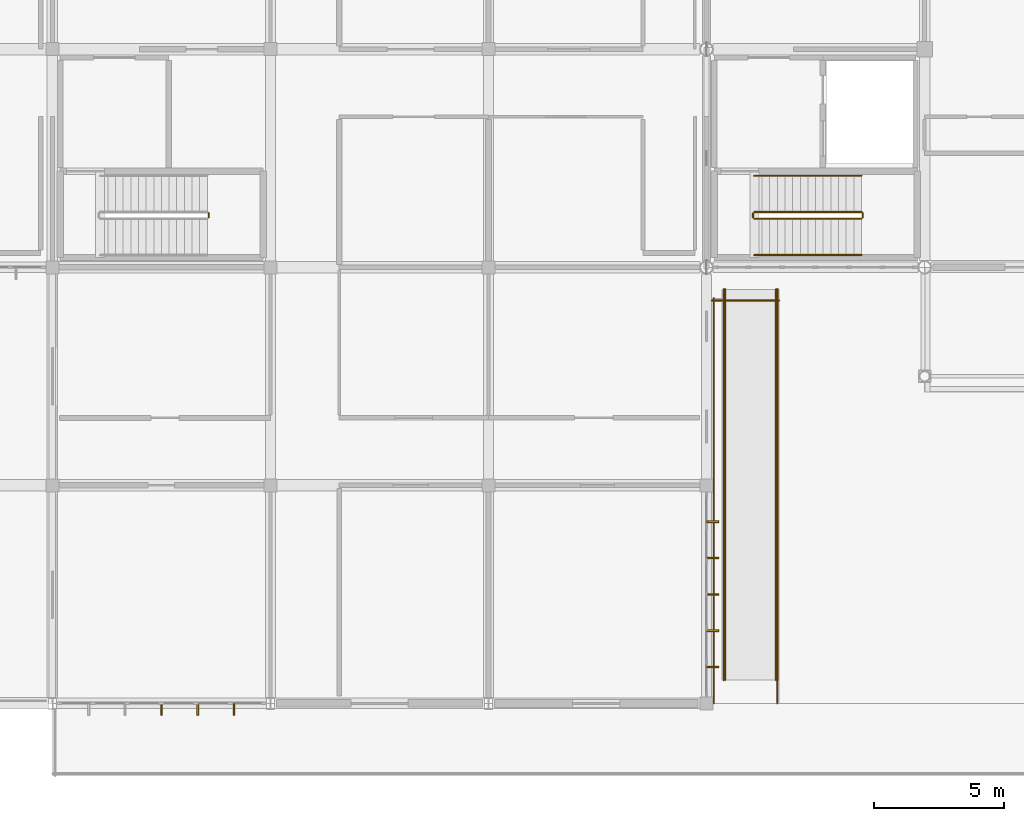
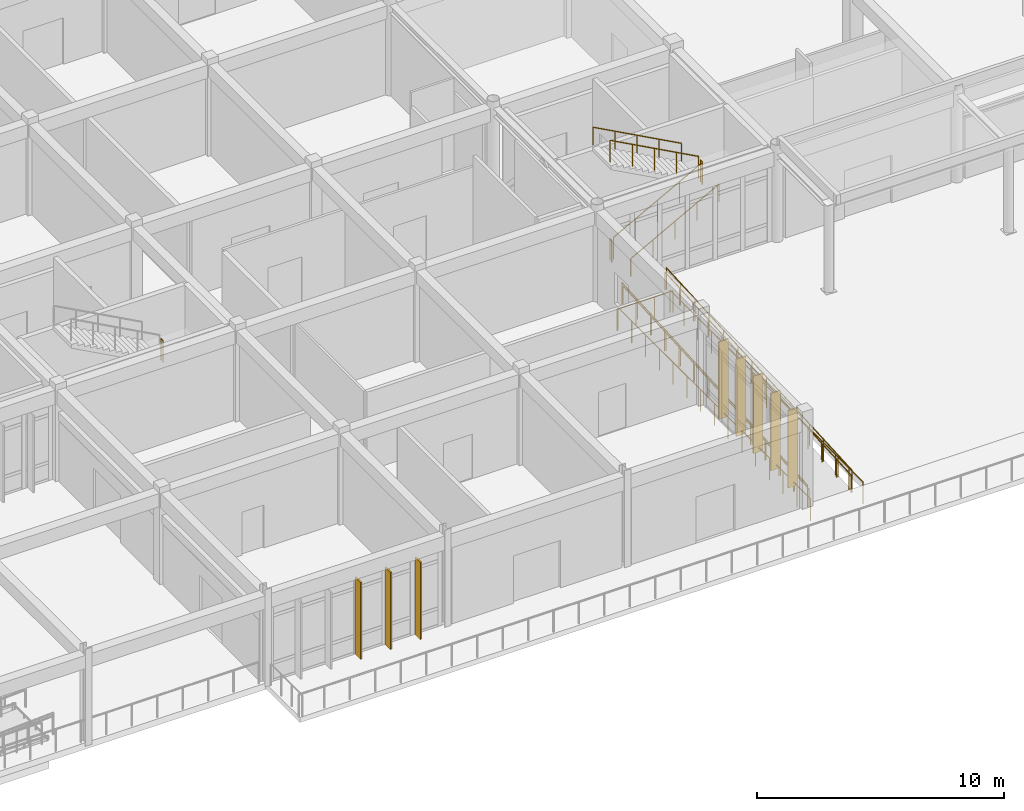
# One storey, part 117 of 138: 14 railings, 8 shading devices.
"""IFC4 building model written with IfcOpenShell, lengths in metres."""

from ifc_helpers import new_model, si_unit, direction, frame, origin, origin_2d, place, context, subcontext, project, spatial, rectangle, circle, extrude, material, material_profile, profile_set, type_object, element, save


model = new_model("IFC4")

# Units and contexts
model_context = context("Model", 3, precision=1e-05, world=origin(), true_north=direction((0.0, 1.0)))
body_context = subcontext(model_context, "Body", "Model", "MODEL_VIEW")
ifc_project = project(units=[si_unit("LENGTHUNIT", "METRE"), si_unit("AREAUNIT", "SQUARE_METRE"), si_unit("VOLUMEUNIT", "CUBIC_METRE"), si_unit("PLANEANGLEUNIT", "RADIAN"), si_unit("MASSUNIT", "GRAM", prefix="KILO")], contexts=[model_context])

# Site, building, storey
site_placement = place(None, origin())
site = spatial("IfcSite", under=ifc_project, at=site_placement, CompositionType="ELEMENT")
building_placement = place(site_placement, origin())
building = spatial("IfcBuilding", under=site, at=building_placement, Name="Bramfleet General Hospital", CompositionType="ELEMENT")
storey_placement = place(building_placement, origin())
storey = spatial("IfcBuildingStorey", under=building, at=storey_placement, Name="L00", CompositionType="ELEMENT", Elevation=0.0)

# Railings
ifc_material_1 = material(Name="Stainless steel 1.4401 safety balustrade", Category="steel")
railing_type_1 = type_object("IfcRailingType", Name="RAIL-EXT-GUARD", PredefinedType="GUARDRAIL", material=ifc_material_1)
railing_1_placement = place(storey_placement, frame((53.1201171875, 0.0, -0.89990234375)))
element("IfcRailing", 1, at=railing_1_placement, inside=storey, type_object=railing_type_1, Name="Ramp Pocket Guard 1.244", PredefinedType="GUARDRAIL", context=body_context, shape_type="SweptSolid", body=[
    extrude(circle(Radius=0.02392578125, at=origin_2d()), frame((0.0, 0.0, 1.076171875), z_axis=(0.0, 1.0, 0.0), x_axis=(-1.0, 0.0, 0.0)), (0.0, 0.0, 1.0), 15.60009765625),
    extrude(circle(Radius=0.02099609375, at=origin_2d()), origin(), (0.0, 0.0, 1.0), 1.052001953125),
    extrude(circle(Radius=0.02099609375, at=origin_2d()), frame((0.0, 1.1142578125, 0.0)), (0.0, 0.0, 1.0), 1.052001953125),
    extrude(circle(Radius=0.02099609375, at=origin_2d()), frame((0.0, 2.228515625, 0.0)), (0.0, 0.0, 1.0), 1.052001953125),
    extrude(circle(Radius=0.02099609375, at=origin_2d()), frame((0.0, 3.3427734375, 0.0)), (0.0, 0.0, 1.0), 1.052001953125),
    extrude(circle(Radius=0.02099609375, at=origin_2d()), frame((0.0, 4.457275390625, 0.0)), (0.0, 0.0, 1.0), 1.052001953125),
    extrude(circle(Radius=0.02099609375, at=origin_2d()), frame((0.0, 5.571533203125, 0.0)), (0.0, 0.0, 1.0), 1.052001953125),
    extrude(circle(Radius=0.02099609375, at=origin_2d()), frame((0.0, 6.685791015625, 0.0)), (0.0, 0.0, 1.0), 1.052001953125),
    extrude(circle(Radius=0.02099609375, at=origin_2d()), frame((0.0, 7.800048828125, 0.0)), (0.0, 0.0, 1.0), 1.052001953125),
    extrude(circle(Radius=0.02099609375, at=origin_2d()), frame((0.0, 8.914306640625, 0.0)), (0.0, 0.0, 1.0), 1.052001953125),
    extrude(circle(Radius=0.02099609375, at=origin_2d()), frame((0.0, 10.028564453125, 0.0)), (0.0, 0.0, 1.0), 1.052001953125),
    extrude(circle(Radius=0.02099609375, at=origin_2d()), frame((0.0, 11.142822265625, 0.0)), (0.0, 0.0, 1.0), 1.052001953125),
    extrude(circle(Radius=0.02099609375, at=origin_2d()), frame((0.0, 12.25732421875, 0.0)), (0.0, 0.0, 1.0), 1.052001953125),
    extrude(circle(Radius=0.02099609375, at=origin_2d()), frame((0.0, 13.37158203125, 0.0)), (0.0, 0.0, 1.0), 1.052001953125),
    extrude(circle(Radius=0.02099609375, at=origin_2d()), frame((0.0, 14.48583984375, 0.0)), (0.0, 0.0, 1.0), 1.052001953125),
    extrude(circle(Radius=0.02099609375, at=origin_2d()), frame((0.0, 15.60009765625, 0.0)), (0.0, 0.0, 1.0), 1.052001953125),
])
railing_2_placement = place(storey_placement, frame((53.199951171875, 15.52001953125, -0.89990234375)))
element("IfcRailing", 2, at=railing_2_placement, inside=storey, type_object=railing_type_1, Name="Ramp Pocket Guard 1.245", PredefinedType="GUARDRAIL", context=body_context, shape_type="SweptSolid", body=[
    extrude(circle(Radius=0.02392578125, at=origin_2d()), frame((0.0, 0.0, 1.076171875), z_axis=(-1.0, 0.0, 0.0), x_axis=(0.0, -1.0, 0.0)), (0.0, 0.0, 1.0), 2.599853515625),
    extrude(circle(Radius=0.02099609375, at=origin_2d()), origin(), (0.0, 0.0, 1.0), 1.052001953125),
    extrude(circle(Radius=0.02099609375, at=origin_2d()), frame((-0.86669921875, 0.0, 0.0)), (0.0, 0.0, 1.0), 1.052001953125),
    extrude(circle(Radius=0.02099609375, at=origin_2d()), frame((-1.733154296875, 0.0, 0.0)), (0.0, 0.0, 1.0), 1.052001953125),
    extrude(circle(Radius=0.02099609375, at=origin_2d()), frame((-2.599853515625, 0.0, 0.0)), (0.0, 0.0, 1.0), 1.052001953125),
])
railing_3_placement = place(storey_placement, frame((50.679931640625, 15.60009765625, -0.89990234375)))
element("IfcRailing", 3, at=railing_3_placement, inside=storey, type_object=railing_type_1, Name="Ramp Pocket Guard 1.246", PredefinedType="GUARDRAIL", context=body_context, shape_type="SweptSolid", body=[
    extrude(circle(Radius=0.02392578125, at=origin_2d()), frame((0.0, 0.0, 1.076171875), z_axis=(0.0, -1.0, 0.0), x_axis=(1.0, 0.0, 0.0)), (0.0, 0.0, 1.0), 15.60009765625),
    extrude(circle(Radius=0.02099609375, at=origin_2d()), origin(), (0.0, 0.0, 1.0), 1.052001953125),
    extrude(circle(Radius=0.02099609375, at=origin_2d()), frame((0.0, -1.1142578125, 0.0)), (0.0, 0.0, 1.0), 1.052001953125),
    extrude(circle(Radius=0.02099609375, at=origin_2d()), frame((0.0, -2.228515625, 0.0)), (0.0, 0.0, 1.0), 1.052001953125),
    extrude(circle(Radius=0.02099609375, at=origin_2d()), frame((0.0, -3.3427734375, 0.0)), (0.0, 0.0, 1.0), 1.052001953125),
    extrude(circle(Radius=0.02099609375, at=origin_2d()), frame((0.0, -4.457275390625, 0.0)), (0.0, 0.0, 1.0), 1.052001953125),
    extrude(circle(Radius=0.02099609375, at=origin_2d()), frame((0.0, -5.571533203125, 0.0)), (0.0, 0.0, 1.0), 1.052001953125),
    extrude(circle(Radius=0.02099609375, at=origin_2d()), frame((0.0, -6.685791015625, 0.0)), (0.0, 0.0, 1.0), 1.052001953125),
    extrude(circle(Radius=0.02099609375, at=origin_2d()), frame((0.0, -7.800048828125, 0.0)), (0.0, 0.0, 1.0), 1.052001953125),
    extrude(circle(Radius=0.02099609375, at=origin_2d()), frame((0.0, -8.914306640625, 0.0)), (0.0, 0.0, 1.0), 1.052001953125),
    extrude(circle(Radius=0.02099609375, at=origin_2d()), frame((0.0, -10.028564453125, 0.0)), (0.0, 0.0, 1.0), 1.052001953125),
    extrude(circle(Radius=0.02099609375, at=origin_2d()), frame((0.0, -11.142822265625, 0.0)), (0.0, 0.0, 1.0), 1.052001953125),
    extrude(circle(Radius=0.02099609375, at=origin_2d()), frame((0.0, -12.25732421875, 0.0)), (0.0, 0.0, 1.0), 1.052001953125),
    extrude(circle(Radius=0.02099609375, at=origin_2d()), frame((0.0, -13.37158203125, 0.0)), (0.0, 0.0, 1.0), 1.052001953125),
    extrude(circle(Radius=0.02099609375, at=origin_2d()), frame((0.0, -14.48583984375, 0.0)), (0.0, 0.0, 1.0), 1.052001953125),
    extrude(circle(Radius=0.02099609375, at=origin_2d()), frame((0.0, -15.60009765625, 0.0)), (0.0, 0.0, 1.0), 1.052001953125),
])
railing_4_placement = place(storey_placement, frame((53.139892578125, 0.89990234375, -0.89990234375)))
element("IfcRailing", 4, at=railing_4_placement, inside=storey, type_object=railing_type_1, Name="Forecourt West Barrier-Free Ramp Guardrail R", PredefinedType="GUARDRAIL", context=body_context, shape_type="SweptSolid", body=[
    extrude(circle(Radius=0.02392578125, at=origin_2d()), frame((0.0, 0.0, 1.076171875), z_axis=(0.0, 0.998217119233, 0.059687376129), x_axis=(-1.0, 0.0, 0.0)), (0.0, 0.0, 1.0), 15.076904296875),
    extrude(circle(Radius=0.02099609375, at=origin_2d()), origin(), (0.0, 0.0, 1.0), 1.052001953125),
    extrude(circle(Radius=0.02099609375, at=origin_2d()), frame((0.0, 1.15771484375, 0.0693359375)), (0.0, 0.0, 1.0), 1.052001953125),
    extrude(circle(Radius=0.02099609375, at=origin_2d()), frame((0.0, 2.3154296875, 0.138427734375)), (0.0, 0.0, 1.0), 1.052001953125),
    extrude(circle(Radius=0.02099609375, at=origin_2d()), frame((0.0, 3.47314453125, 0.207763671875)), (0.0, 0.0, 1.0), 1.052001953125),
    extrude(circle(Radius=0.02099609375, at=origin_2d()), frame((0.0, 4.630859375, 0.27685546875)), (0.0, 0.0, 1.0), 1.052001953125),
    extrude(circle(Radius=0.02099609375, at=origin_2d()), frame((0.0, 5.78857421875, 0.34619140625)), (0.0, 0.0, 1.0), 1.052001953125),
    extrude(circle(Radius=0.02099609375, at=origin_2d()), frame((0.0, 6.9462890625, 0.415283203125)), (0.0, 0.0, 1.0), 1.052001953125),
    extrude(circle(Radius=0.02099609375, at=origin_2d()), frame((0.0, 8.103759765625, 0.484619140625)), (0.0, 0.0, 1.0), 1.052001953125),
    extrude(circle(Radius=0.02099609375, at=origin_2d()), frame((0.0, 9.261474609375, 0.5537109375)), (0.0, 0.0, 1.0), 1.052001953125),
    extrude(circle(Radius=0.02099609375, at=origin_2d()), frame((0.0, 10.419189453125, 0.623046875)), (0.0, 0.0, 1.0), 1.052001953125),
    extrude(circle(Radius=0.02099609375, at=origin_2d()), frame((0.0, 11.576904296875, 0.692138671875)), (0.0, 0.0, 1.0), 1.052001953125),
    extrude(circle(Radius=0.02099609375, at=origin_2d()), frame((0.0, 12.734619140625, 0.761474609375)), (0.0, 0.0, 1.0), 1.052001953125),
    extrude(circle(Radius=0.02099609375, at=origin_2d()), frame((0.0, 13.892333984375, 0.83056640625)), (0.0, 0.0, 1.0), 1.052001953125),
    extrude(circle(Radius=0.02099609375, at=origin_2d()), frame((0.0, 15.050048828125, 0.89990234375)), (0.0, 0.0, 1.0), 1.052001953125),
])
railing_5_placement = place(storey_placement, frame((51.06005859375, 0.89990234375, -0.89990234375)))
element("IfcRailing", 5, at=railing_5_placement, inside=storey, type_object=railing_type_1, Name="Forecourt West Barrier-Free Ramp Guardrail L", PredefinedType="GUARDRAIL", context=body_context, shape_type="SweptSolid", body=[
    extrude(circle(Radius=0.02392578125, at=origin_2d()), frame((0.0, 0.0, 1.076171875), z_axis=(0.0, 0.998217119233, 0.059687376129), x_axis=(-1.0, 0.0, 0.0)), (0.0, 0.0, 1.0), 15.076904296875),
    extrude(circle(Radius=0.02099609375, at=origin_2d()), origin(), (0.0, 0.0, 1.0), 1.052001953125),
    extrude(circle(Radius=0.02099609375, at=origin_2d()), frame((0.0, 1.15771484375, 0.0693359375)), (0.0, 0.0, 1.0), 1.052001953125),
    extrude(circle(Radius=0.02099609375, at=origin_2d()), frame((0.0, 2.3154296875, 0.138427734375)), (0.0, 0.0, 1.0), 1.052001953125),
    extrude(circle(Radius=0.02099609375, at=origin_2d()), frame((0.0, 3.47314453125, 0.207763671875)), (0.0, 0.0, 1.0), 1.052001953125),
    extrude(circle(Radius=0.02099609375, at=origin_2d()), frame((0.0, 4.630859375, 0.27685546875)), (0.0, 0.0, 1.0), 1.052001953125),
    extrude(circle(Radius=0.02099609375, at=origin_2d()), frame((0.0, 5.78857421875, 0.34619140625)), (0.0, 0.0, 1.0), 1.052001953125),
    extrude(circle(Radius=0.02099609375, at=origin_2d()), frame((0.0, 6.9462890625, 0.415283203125)), (0.0, 0.0, 1.0), 1.052001953125),
    extrude(circle(Radius=0.02099609375, at=origin_2d()), frame((0.0, 8.103759765625, 0.484619140625)), (0.0, 0.0, 1.0), 1.052001953125),
    extrude(circle(Radius=0.02099609375, at=origin_2d()), frame((0.0, 9.261474609375, 0.5537109375)), (0.0, 0.0, 1.0), 1.052001953125),
    extrude(circle(Radius=0.02099609375, at=origin_2d()), frame((0.0, 10.419189453125, 0.623046875)), (0.0, 0.0, 1.0), 1.052001953125),
    extrude(circle(Radius=0.02099609375, at=origin_2d()), frame((0.0, 11.576904296875, 0.692138671875)), (0.0, 0.0, 1.0), 1.052001953125),
    extrude(circle(Radius=0.02099609375, at=origin_2d()), frame((0.0, 12.734619140625, 0.761474609375)), (0.0, 0.0, 1.0), 1.052001953125),
    extrude(circle(Radius=0.02099609375, at=origin_2d()), frame((0.0, 13.892333984375, 0.83056640625)), (0.0, 0.0, 1.0), 1.052001953125),
    extrude(circle(Radius=0.02099609375, at=origin_2d()), frame((0.0, 15.050048828125, 0.89990234375)), (0.0, 0.0, 1.0), 1.052001953125),
])
ifc_material_2 = material(Name="Stainless steel 1.4401 handrail", Category="steel")
railing_type_2 = type_object("IfcRailingType", Name="RAIL-EXT-HND", PredefinedType="HANDRAIL", material=ifc_material_2)
railing_6_placement = place(storey_placement, frame((53.080078125, 0.89990234375, -0.89990234375)))
element("IfcRailing", 6, at=railing_6_placement, inside=storey, type_object=railing_type_2, Name="Forecourt West Barrier-Free Ramp Handrail R", PredefinedType="HANDRAIL", context=body_context, shape_type="SweptSolid", body=[
    extrude(circle(Radius=0.02392578125, at=origin_2d()), frame((0.0, 0.0, 0.8759765625), z_axis=(0.0, 0.998217119233, 0.059687376129), x_axis=(-1.0, 0.0, 0.0)), (0.0, 0.0, 1.0), 15.076904296875),
    extrude(circle(Radius=0.02099609375, at=origin_2d()), origin(), (0.0, 0.0, 1.0), 0.851806640625),
    extrude(circle(Radius=0.02099609375, at=origin_2d()), frame((0.0, 1.15771484375, 0.0693359375)), (0.0, 0.0, 1.0), 0.851806640625),
    extrude(circle(Radius=0.02099609375, at=origin_2d()), frame((0.0, 2.3154296875, 0.138427734375)), (0.0, 0.0, 1.0), 0.851806640625),
    extrude(circle(Radius=0.02099609375, at=origin_2d()), frame((0.0, 3.47314453125, 0.207763671875)), (0.0, 0.0, 1.0), 0.851806640625),
    extrude(circle(Radius=0.02099609375, at=origin_2d()), frame((0.0, 4.630859375, 0.27685546875)), (0.0, 0.0, 1.0), 0.851806640625),
    extrude(circle(Radius=0.02099609375, at=origin_2d()), frame((0.0, 5.78857421875, 0.34619140625)), (0.0, 0.0, 1.0), 0.851806640625),
    extrude(circle(Radius=0.02099609375, at=origin_2d()), frame((0.0, 6.9462890625, 0.415283203125)), (0.0, 0.0, 1.0), 0.851806640625),
    extrude(circle(Radius=0.02099609375, at=origin_2d()), frame((0.0, 8.103759765625, 0.484619140625)), (0.0, 0.0, 1.0), 0.851806640625),
    extrude(circle(Radius=0.02099609375, at=origin_2d()), frame((0.0, 9.261474609375, 0.5537109375)), (0.0, 0.0, 1.0), 0.851806640625),
    extrude(circle(Radius=0.02099609375, at=origin_2d()), frame((0.0, 10.419189453125, 0.623046875)), (0.0, 0.0, 1.0), 0.851806640625),
    extrude(circle(Radius=0.02099609375, at=origin_2d()), frame((0.0, 11.576904296875, 0.692138671875)), (0.0, 0.0, 1.0), 0.851806640625),
    extrude(circle(Radius=0.02099609375, at=origin_2d()), frame((0.0, 12.734619140625, 0.761474609375)), (0.0, 0.0, 1.0), 0.851806640625),
    extrude(circle(Radius=0.02099609375, at=origin_2d()), frame((0.0, 13.892333984375, 0.83056640625)), (0.0, 0.0, 1.0), 0.851806640625),
    extrude(circle(Radius=0.02099609375, at=origin_2d()), frame((0.0, 15.050048828125, 0.89990234375)), (0.0, 0.0, 1.0), 0.851806640625),
])
railing_7_placement = place(storey_placement, frame((51.1201171875, 0.89990234375, -0.89990234375)))
element("IfcRailing", 7, at=railing_7_placement, inside=storey, type_object=railing_type_2, Name="Forecourt West Barrier-Free Ramp Handrail L", PredefinedType="HANDRAIL", context=body_context, shape_type="SweptSolid", body=[
    extrude(circle(Radius=0.02392578125, at=origin_2d()), frame((0.0, 0.0, 0.8759765625), z_axis=(0.0, 0.998217119233, 0.059687376129), x_axis=(-1.0, 0.0, 0.0)), (0.0, 0.0, 1.0), 15.076904296875),
    extrude(circle(Radius=0.02099609375, at=origin_2d()), origin(), (0.0, 0.0, 1.0), 0.851806640625),
    extrude(circle(Radius=0.02099609375, at=origin_2d()), frame((0.0, 1.15771484375, 0.0693359375)), (0.0, 0.0, 1.0), 0.851806640625),
    extrude(circle(Radius=0.02099609375, at=origin_2d()), frame((0.0, 2.3154296875, 0.138427734375)), (0.0, 0.0, 1.0), 0.851806640625),
    extrude(circle(Radius=0.02099609375, at=origin_2d()), frame((0.0, 3.47314453125, 0.207763671875)), (0.0, 0.0, 1.0), 0.851806640625),
    extrude(circle(Radius=0.02099609375, at=origin_2d()), frame((0.0, 4.630859375, 0.27685546875)), (0.0, 0.0, 1.0), 0.851806640625),
    extrude(circle(Radius=0.02099609375, at=origin_2d()), frame((0.0, 5.78857421875, 0.34619140625)), (0.0, 0.0, 1.0), 0.851806640625),
    extrude(circle(Radius=0.02099609375, at=origin_2d()), frame((0.0, 6.9462890625, 0.415283203125)), (0.0, 0.0, 1.0), 0.851806640625),
    extrude(circle(Radius=0.02099609375, at=origin_2d()), frame((0.0, 8.103759765625, 0.484619140625)), (0.0, 0.0, 1.0), 0.851806640625),
    extrude(circle(Radius=0.02099609375, at=origin_2d()), frame((0.0, 9.261474609375, 0.5537109375)), (0.0, 0.0, 1.0), 0.851806640625),
    extrude(circle(Radius=0.02099609375, at=origin_2d()), frame((0.0, 10.419189453125, 0.623046875)), (0.0, 0.0, 1.0), 0.851806640625),
    extrude(circle(Radius=0.02099609375, at=origin_2d()), frame((0.0, 11.576904296875, 0.692138671875)), (0.0, 0.0, 1.0), 0.851806640625),
    extrude(circle(Radius=0.02099609375, at=origin_2d()), frame((0.0, 12.734619140625, 0.761474609375)), (0.0, 0.0, 1.0), 0.851806640625),
    extrude(circle(Radius=0.02099609375, at=origin_2d()), frame((0.0, 13.892333984375, 0.83056640625)), (0.0, 0.0, 1.0), 0.851806640625),
    extrude(circle(Radius=0.02099609375, at=origin_2d()), frame((0.0, 15.050048828125, 0.89990234375)), (0.0, 0.0, 1.0), 0.851806640625),
])
ifc_material_3 = material(Name="Powder-coated steel stair balustrade", Category="steel")
railing_type_3 = type_object("IfcRailingType", Name="RAIL-ST-GUARD", PredefinedType="GUARDRAIL", material=ifc_material_3)
railing_8_placement = place(storey_placement, frame((52.239990234375, 18.669921875, 0.159912109375)))
element("IfcRailing", 8, at=railing_8_placement, inside=storey, type_object=railing_type_3, Name="L00 ST-C1 stair guard 1", PredefinedType="GUARDRAIL", context=body_context, shape_type="SweptSolid", body=[
    extrude(circle(Radius=0.02392578125, at=origin_2d()), frame((0.0, 0.0, 1.076171875), z_axis=(0.879038868435, 0.0, 0.476750110415), x_axis=(0.0, 1.0, 0.0)), (0.0, 0.0, 1.0), 4.698486328125),
    extrude(circle(Radius=0.02099609375, at=origin_2d()), origin(), (0.0, 0.0, 1.0), 1.052001953125),
    extrude(circle(Radius=0.02099609375, at=origin_2d()), frame((1.032470703125, 0.0, 0.56005859375)), (0.0, 0.0, 1.0), 1.052001953125),
    extrude(circle(Radius=0.02099609375, at=origin_2d()), frame((2.06494140625, 0.0, 1.1201171875)), (0.0, 0.0, 1.0), 1.052001953125),
    extrude(circle(Radius=0.02099609375, at=origin_2d()), frame((3.09765625, 0.0, 1.679931640625)), (0.0, 0.0, 1.0), 1.052001953125),
    extrude(circle(Radius=0.02099609375, at=origin_2d()), frame((4.130126953125, 0.0, 2.239990234375)), (0.0, 0.0, 1.0), 1.052001953125),
])
railing_9_placement = place(storey_placement, frame((56.419921875, 18.719970703125, 2.39990234375)))
element("IfcRailing", 9, at=railing_9_placement, inside=storey, type_object=railing_type_3, Name="L00 ST-C1 stair guard 2", PredefinedType="GUARDRAIL", context=body_context, shape_type="SweptSolid", body=[
    extrude(circle(Radius=0.02392578125, at=origin_2d()), frame((0.0, 0.0, 1.076171875), z_axis=(0.0, 1.0, 0.0), x_axis=(-1.0, 0.0, 0.0)), (0.0, 0.0, 1.0), 0.159912109375),
    extrude(circle(Radius=0.02099609375, at=origin_2d()), origin(), (0.0, 0.0, 1.0), 1.052001953125),
    extrude(circle(Radius=0.02099609375, at=origin_2d()), frame((0.0, 0.159912109375, 0.0)), (0.0, 0.0, 1.0), 1.052001953125),
])
railing_10_placement = place(storey_placement, frame((56.3701171875, 18.929931640625, 2.56005859375)))
element("IfcRailing", 10, at=railing_10_placement, inside=storey, type_object=railing_type_3, Name="L00 ST-C1 stair guard 3", PredefinedType="GUARDRAIL", context=body_context, shape_type="SweptSolid", body=[
    extrude(circle(Radius=0.02392578125, at=origin_2d()), frame((0.0, 0.0, 1.076171875), z_axis=(-0.879038868435, 0.0, 0.476750110415), x_axis=(0.0, -1.0, 0.0)), (0.0, 0.0, 1.0), 4.698486328125),
    extrude(circle(Radius=0.02099609375, at=origin_2d()), origin(), (0.0, 0.0, 1.0), 1.052001953125),
    extrude(circle(Radius=0.02099609375, at=origin_2d()), frame((-1.032470703125, 0.0, 0.56005859375)), (0.0, 0.0, 1.0), 1.052001953125),
    extrude(circle(Radius=0.02099609375, at=origin_2d()), frame((-2.06494140625, 0.0, 1.1201171875)), (0.0, 0.0, 1.0), 1.052001953125),
    extrude(circle(Radius=0.02099609375, at=origin_2d()), frame((-3.09765625, 0.0, 1.679931640625)), (0.0, 0.0, 1.0), 1.052001953125),
    extrude(circle(Radius=0.02099609375, at=origin_2d()), frame((-4.130126953125, 0.0, 2.239990234375)), (0.0, 0.0, 1.0), 1.052001953125),
])
for number, where, name in (
    (11, (52.18994140625, 18.719970703125, 0.0), "L00 ST-C1 stair guard 4"),
    (12, (31.219970703125, 18.719970703125, 2.39990234375), "L00 ST-C7 stair guard 2"),
):
    element("IfcRailing", number, at=place(storey_placement, frame(where)), inside=storey, type_object=railing_type_3, Name=name, PredefinedType="GUARDRAIL", context=body_context, shape_type="SweptSolid", body=[
        extrude(circle(Radius=0.02392578125, at=origin_2d()), frame((0.0, 0.0, 1.076171875), z_axis=(0.0, 1.0, 0.0), x_axis=(-1.0, 0.0, 0.0)), (0.0, 0.0, 1.0), 0.159912109375),
        extrude(circle(Radius=0.02099609375, at=origin_2d()), origin(), (0.0, 0.0, 1.0), 1.052001953125),
        extrude(circle(Radius=0.02099609375, at=origin_2d()), frame((0.0, 0.159912109375, 0.0)), (0.0, 0.0, 1.0), 1.052001953125),
    ])
ifc_material_4 = material(Name="Stainless steel 1.4301 stair handrail", Category="steel")
railing_type_4 = type_object("IfcRailingType", Name="RAIL-ST-HND", PredefinedType="HANDRAIL", material=ifc_material_4)
railing_11_placement = place(storey_placement, frame((52.239990234375, 17.27001953125, 0.159912109375)))
element("IfcRailing", 13, at=railing_11_placement, inside=storey, type_object=railing_type_4, Name="L00 ST-C1 stair handrail 1", PredefinedType="HANDRAIL", context=body_context, shape_type="SweptSolid", body=[
    extrude(circle(Radius=0.02392578125, at=origin_2d()), frame((0.0, 0.0, 0.8759765625), z_axis=(0.879038868435, 0.0, 0.476750110415), x_axis=(0.0, 1.0, 0.0)), (0.0, 0.0, 1.0), 4.698486328125),
    extrude(circle(Radius=0.02099609375, at=origin_2d()), origin(), (0.0, 0.0, 1.0), 0.851806640625),
    extrude(circle(Radius=0.02099609375, at=origin_2d()), frame((1.032470703125, 0.0, 0.56005859375)), (0.0, 0.0, 1.0), 0.851806640625),
    extrude(circle(Radius=0.02099609375, at=origin_2d()), frame((2.06494140625, 0.0, 1.1201171875)), (0.0, 0.0, 1.0), 0.851806640625),
    extrude(circle(Radius=0.02099609375, at=origin_2d()), frame((3.09765625, 0.0, 1.679931640625)), (0.0, 0.0, 1.0), 0.851806640625),
    extrude(circle(Radius=0.02099609375, at=origin_2d()), frame((4.130126953125, 0.0, 2.239990234375)), (0.0, 0.0, 1.0), 0.851806640625),
])
railing_12_placement = place(storey_placement, frame((56.3701171875, 20.330078125, 2.56005859375)))
element("IfcRailing", 14, at=railing_12_placement, inside=storey, type_object=railing_type_4, Name="L00 ST-C1 stair handrail 2", PredefinedType="HANDRAIL", context=body_context, shape_type="SweptSolid", body=[
    extrude(circle(Radius=0.02392578125, at=origin_2d()), frame((0.0, 0.0, 0.8759765625), z_axis=(-0.879038868435, 0.0, 0.476750110415), x_axis=(0.0, -1.0, 0.0)), (0.0, 0.0, 1.0), 4.698486328125),
    extrude(circle(Radius=0.02099609375, at=origin_2d()), origin(), (0.0, 0.0, 1.0), 0.851806640625),
    extrude(circle(Radius=0.02099609375, at=origin_2d()), frame((-1.032470703125, 0.0, 0.56005859375)), (0.0, 0.0, 1.0), 0.851806640625),
    extrude(circle(Radius=0.02099609375, at=origin_2d()), frame((-2.06494140625, 0.0, 1.1201171875)), (0.0, 0.0, 1.0), 0.851806640625),
    extrude(circle(Radius=0.02099609375, at=origin_2d()), frame((-3.09765625, 0.0, 1.679931640625)), (0.0, 0.0, 1.0), 0.851806640625),
    extrude(circle(Radius=0.02099609375, at=origin_2d()), frame((-4.130126953125, 0.0, 2.239990234375)), (0.0, 0.0, 1.0), 0.851806640625),
])

# Shading devices
ifc_material_5 = material(Name="Treated European larch timber", Category="wood")
ifc_material_profile = material_profile(ifc_material_5, rectangle(XDim=0.06494140625, YDim=0.449951171875, at=origin_2d()), Name="LARCH FIN 450x65")
ifc_profile_set = profile_set([ifc_material_profile], Name="Treated European larch timber")
shading_device_type = type_object("IfcShadingDeviceType", Name="SHD-FIN-450", PredefinedType="USERDEFINED", material=ifc_profile_set)
for number, where, z_axis, x_axis, name in (
    (15, (50.639892578125, 7.0, -0.02001953125), (0.0, 0.0, 1.0), (0.0, -1.0, 0.0), "L00 Larch Timber Shading Fin 134"),
    (16, (50.639892578125, 5.60009765625, -0.02001953125), (0.0, 0.0, 1.0), (0.0, -1.0, 0.0), "L00 Larch Timber Shading Fin 135"),
    (17, (50.639892578125, 4.199951171875, -0.02001953125), (0.0, 0.0, 1.0), (0.0, -1.0, 0.0), "L00 Larch Timber Shading Fin 136"),
    (18, (50.639892578125, 2.800048828125, -0.02001953125), (0.0, 0.0, 1.0), (0.0, -1.0, 0.0), "L00 Larch Timber Shading Fin 137"),
    (19, (50.639892578125, 1.39990234375, -0.02001953125), (0.0, 0.0, 1.0), (0.0, -1.0, 0.0), "L00 Larch Timber Shading Fin 138"),
    (20, (32.199951171875, -0.239990234375, -0.02001953125), (0.0, 0.0, 1.0), (-1.0, 0.0, 0.0), "L00 Larch Timber Shading Fin 139"),
    (21, (30.800048828125, -0.239990234375, -0.02001953125), (0.0, 0.0, 1.0), (-1.0, 0.0, 0.0), "L00 Larch Timber Shading Fin 140"),
    (22, (29.39990234375, -0.239990234375, -0.02001953125), (0.0, 0.0, 1.0), (-1.0, 0.0, 0.0), "L00 Larch Timber Shading Fin 141"),
):
    element("IfcShadingDevice", number, at=place(storey_placement, frame(where, z_axis=z_axis, x_axis=x_axis)), inside=storey, type_object=shading_device_type, Name=name, ObjectType="Fin", PredefinedType="USERDEFINED", context=body_context, shape_type="SweptSolid", body=[
        extrude(rectangle(XDim=0.06494140625, YDim=0.449951171875, at=origin_2d()), origin(), (0.0, 0.0, 1.0), 3.820068359375),
    ])

save(model, "model.ifc")
